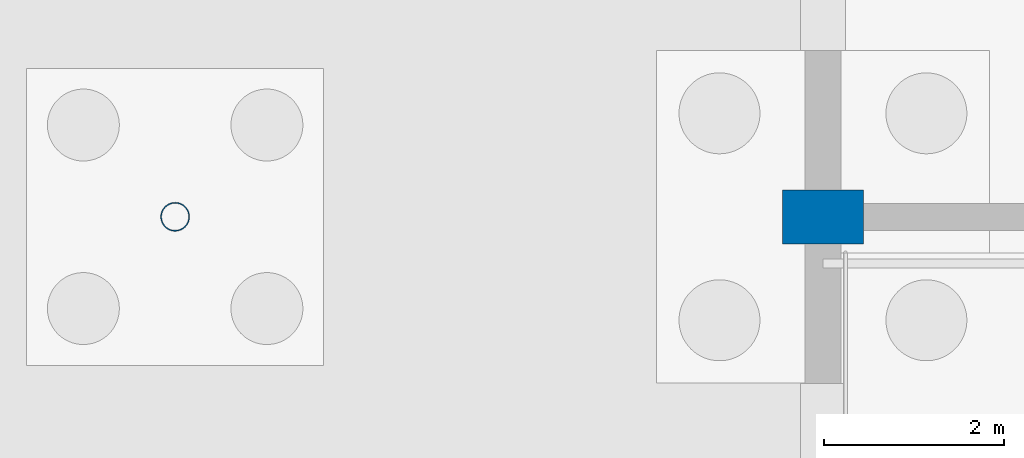
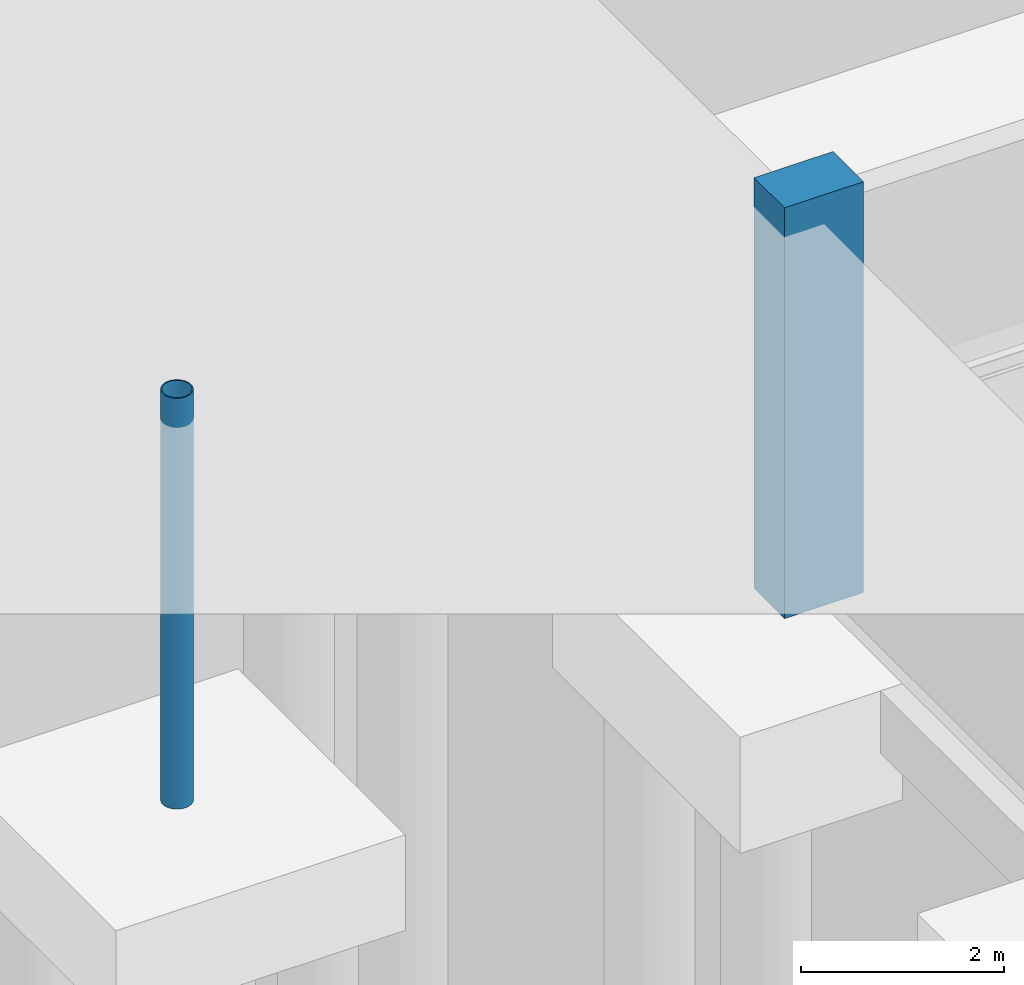
# One storey, part 9 of 51: 2 columns.
"""IFC4 building model written with IfcOpenShell, lengths in metres."""

import ifcopenshell
import ifcopenshell.guid

model = None  # the IFC model being written
_history = None  # IfcOwnerHistory: only IFC2X3 demands one
_inside = {}  # id of a spatial element -> (the spatial element, [elements in it])
_under = {}  # id of a project, library or spatial element -> (it, [spatial elements below it])
_declared = {}  # id of a project -> (the project, [libraries it declares])
_typed = {}  # id of a type object -> (the type object, [elements of that type])
_made_of = {}  # id of a material, layer set ... -> (it, [elements and type objects made of it])


def new_model(schema):
    """Start an empty IFC model of exactly this schema.

    Asked for "IFC4X3", IfcOpenShell would pick the latest addendum, in which some entities
    have other attributes; the version numbers below select the first issue.
    IFC2X3 requires an IfcOwnerHistory on every rooted entity: one is made here for all.
    """
    global model, _history
    if schema == "IFC4X3":
        model = ifcopenshell.file(schema_version=(4, 3, 0, 0))
    else:
        model = ifcopenshell.file(schema=schema)
    _inside.clear()
    _under.clear()
    _declared.clear()
    _typed.clear()
    _made_of.clear()
    _history = None
    if model.schema == "IFC2X3":
        org = make("IfcOrganization", Name="unknown")
        user = make(
            "IfcPersonAndOrganization",
            ThePerson=make("IfcPerson", FamilyName="unknown"),
            TheOrganization=org,
        )
        app = make(
            "IfcApplication",
            ApplicationDeveloper=org,
            Version="unknown",
            ApplicationFullName="unknown",
            ApplicationIdentifier="unknown",
        )
        _history = make(
            "IfcOwnerHistory",
            OwningUser=user,
            OwningApplication=app,
            ChangeAction="ADDED",
            CreationDate=0,
        )
    return model


def make(cls, **values):
    """One entity of the class cls with the attributes given. An attribute that is None is left unset."""
    return model.create_entity(
        cls, **{name: value for name, value in values.items() if value is not None}
    )


def rooted(cls, **values):
    """An entity with a GlobalId (a new one), such as an element, a storey or a relation."""
    return make(cls, GlobalId=ifcopenshell.guid.new(), OwnerHistory=_history, **values)


def si_unit(unit_type, name, prefix=None):
    """IfcSIUnit, for example si_unit("LENGTHUNIT", "METRE", prefix="MILLI")."""
    return make("IfcSIUnit", UnitType=unit_type, Prefix=prefix, Name=name)


def assignment(units):
    """IfcUnitAssignment: the units of a project."""
    return None if units is None else make("IfcUnitAssignment", Units=units)


def point(xyz):
    """IfcCartesianPoint."""
    return None if xyz is None else make("IfcCartesianPoint", Coordinates=xyz)


def direction(xyz):
    """IfcDirection."""
    return None if xyz is None else make("IfcDirection", DirectionRatios=xyz)


def frame(location, z_axis=None, x_axis=None):
    """IfcAxis2Placement3D, a coordinate frame: its origin and axes. An axis left out is left unset."""
    return make(
        "IfcAxis2Placement3D",
        Location=point(location),
        Axis=direction(z_axis),
        RefDirection=direction(x_axis),
    )


def frame_2d(location, x_axis=None):
    """IfcAxis2Placement2D, a coordinate frame in the plane: its origin and x axis."""
    return make(
        "IfcAxis2Placement2D", Location=point(location), RefDirection=direction(x_axis)
    )


def origin():
    """The frame at (0, 0, 0) with its axes left unset."""
    return frame((0.0, 0.0, 0.0))


def origin_2d():
    """The frame at (0, 0) in the plane with its x axis left unset."""
    return frame_2d((0.0, 0.0))


def place(relative_to, where):
    """IfcLocalPlacement: puts the frame where relative to a parent placement (None: the world)."""
    return make(
        "IfcLocalPlacement", PlacementRelTo=relative_to, RelativePlacement=where
    )


def context(
    kind, dimensions, precision=None, world=None, true_north=None, identifier=None
):
    """IfcGeometricRepresentationContext, for example the 3D "Model" context."""
    return make(
        "IfcGeometricRepresentationContext",
        ContextIdentifier=identifier,
        ContextType=kind,
        CoordinateSpaceDimension=dimensions,
        Precision=precision,
        WorldCoordinateSystem=world,
        TrueNorth=true_north,
    )


def subcontext(parent, identifier, kind, view, scale=None):
    """IfcGeometricRepresentationSubContext, for example "Body" below "Model"."""
    return make(
        "IfcGeometricRepresentationSubContext",
        ContextIdentifier=identifier,
        ContextType=kind,
        ParentContext=parent,
        TargetScale=scale,
        TargetView=view,
    )


def project(units=None, contexts=None):
    """IfcProject with its units and contexts."""
    return rooted(
        "IfcProject",
        Name="project",
        RepresentationContexts=contexts,
        UnitsInContext=assignment(units),
    )


def spatial(cls, under=None, at=None, **own):
    """A site, building, storey or space (cls), placed at a placement, below another one or the project."""
    s = rooted(cls, ObjectPlacement=at, **own)
    if under is not None:
        _under.setdefault(under.id(), (under, []))[1].append(s)
    return s


def profile(cls, at=None, kind="AREA", **sizes):
    """A parametric profile (cls). Its sizes go by their IFC names, for example OverallWidth=200.0."""
    return make(cls, ProfileType=kind, Position=at, **sizes)


def rectangle(**sizes):
    """IfcRectangleProfileDef."""
    return profile("IfcRectangleProfileDef", **sizes)


def hollow_circle(**sizes):
    """IfcCircleHollowProfileDef."""
    return profile("IfcCircleHollowProfileDef", **sizes)


def extrude(swept, where, along, depth):
    """IfcExtrudedAreaSolid: the profile swept, set in the frame where, extruded along a direction by depth."""
    return make(
        "IfcExtrudedAreaSolid",
        SweptArea=swept,
        Position=where,
        ExtrudedDirection=direction(along),
        Depth=depth,
    )


def shape(context_of_items, identifier, shape_type, items):
    """IfcShapeRepresentation: the items that make up one representation, for example the "Body"."""
    return make(
        "IfcShapeRepresentation",
        ContextOfItems=context_of_items,
        RepresentationIdentifier=identifier,
        RepresentationType=shape_type,
        Items=items,
    )


def material(Name=None, Category=None):
    """IfcMaterial."""
    return make("IfcMaterial", Name=Name, Category=Category)


def material_profile(
    of_material, cross_section, Name=None, Category=None, Priority=None
):
    """IfcMaterialProfile: a cross section and its material."""
    return make(
        "IfcMaterialProfile",
        Name=Name,
        Material=of_material,
        Profile=cross_section,
        Priority=Priority,
        Category=Category,
    )


def profile_set(profiles, Name=None, composite=None):
    """IfcMaterialProfileSet."""
    return make(
        "IfcMaterialProfileSet",
        Name=Name,
        MaterialProfiles=profiles,
        CompositeProfile=composite,
    )


def made_of(thing, what):
    """Note that an element or type object is made of a material, layer set ...; save() writes the relation."""
    if what is not None:
        _made_of.setdefault(what.id(), (what, []))[1].append(thing)
    return thing


def type_object(cls, material=None, **own):
    """A type object (cls), such as IfcWallType, which elements share."""
    return made_of(rooted(cls, **own), material)


def element(
    cls,
    number,
    at=None,
    inside=None,
    cuts=None,
    type_object=None,
    material=None,
    context=None,
    identifier="Body",
    shape_type=None,
    held_by="IfcProductDefinitionShape",
    body=None,
    shapes=None,
    **own,
):
    """One element of the class cls, such as IfcWall. Its Tag is "e" and its number.

    at: its placement. inside: the storey or other place that contains it. cuts: it is an
    opening in that element (IfcRelVoidsElement). A single representation is given by context,
    identifier, shape_type and body (its items); several are given by shapes. held_by: the class
    of the entity that holds the representations. save() writes the other relations.
    """
    e = rooted(cls, Tag="e%d" % number, ObjectPlacement=at, **own)
    if body is not None:
        shapes = [shape(context, identifier, shape_type, body)]
    if shapes is not None:
        e.Representation = make(held_by, Representations=shapes)
    if inside is not None:
        _inside.setdefault(inside.id(), (inside, []))[1].append(e)
    if cuts is not None:
        rooted(
            "IfcRelVoidsElement", RelatingBuildingElement=cuts, RelatedOpeningElement=e
        )
    if type_object is not None:
        _typed.setdefault(type_object.id(), (type_object, []))[1].append(e)
    return made_of(e, material)


def aggregate(whole, parts):
    """IfcRelAggregates: a whole, such as a stair, and the parts it consists of."""
    return rooted("IfcRelAggregates", RelatingObject=whole, RelatedObjects=parts)


def save(model, path):
    """Write the relations noted so far, then the file.

    IfcRelAggregates (storeys below a building ...), IfcRelContainedInSpatialStructure (elements
    in a storey), IfcRelDefinesByType, IfcRelAssociatesMaterial and IfcRelDeclares: one each for
    every whole, place, type object, material and project.
    """
    for whole, parts in _under.values():
        aggregate(whole, parts)
    for where, things in _inside.values():
        rooted(
            "IfcRelContainedInSpatialStructure",
            RelatedElements=things,
            RelatingStructure=where,
        )
    for kind, things in _typed.values():
        rooted("IfcRelDefinesByType", RelatedObjects=things, RelatingType=kind)
    for what, things in _made_of.values():
        rooted("IfcRelAssociatesMaterial", RelatedObjects=things, RelatingMaterial=what)
    for by, libraries in _declared.values():
        rooted("IfcRelDeclares", RelatingContext=by, RelatedDefinitions=libraries)
    model.write(path)


model = new_model("IFC4")

# Units and contexts
model_context = context("Model", 3, precision=1e-05, world=origin(), true_north=direction((0.0, 1.0)))
body_context = subcontext(model_context, "Body", "Model", "MODEL_VIEW")
ifc_project = project(units=[si_unit("LENGTHUNIT", "METRE"), si_unit("AREAUNIT", "SQUARE_METRE"), si_unit("VOLUMEUNIT", "CUBIC_METRE"), si_unit("PLANEANGLEUNIT", "RADIAN"), si_unit("MASSUNIT", "GRAM", prefix="KILO")], contexts=[model_context])

# Site, building, storey
site_placement = place(None, origin())
site = spatial("IfcSite", under=ifc_project, at=site_placement, CompositionType="ELEMENT")
building_placement = place(site_placement, origin())
building = spatial("IfcBuilding", under=site, at=building_placement, Name="Zlatovets Crest Museum", CompositionType="ELEMENT")
storey_placement = place(building_placement, frame((0.0, 0.0, -4.5)))
storey = spatial("IfcBuildingStorey", under=building, at=storey_placement, Name="B1", CompositionType="ELEMENT", Elevation=-4.5)

# Columns
ifc_material_1 = material(Name="Concrete C35/45", Category="concrete")
ifc_material_profile_1 = material_profile(ifc_material_1, rectangle(XDim=0.60009765625, YDim=0.89990234375, at=origin_2d()), Name="RC 600x900")
ifc_profile_set_1 = profile_set([ifc_material_profile_1], Name="Concrete C35/45")
column_type_1 = type_object("IfcColumnType", Name="Col_C-03", PredefinedType="PILASTER", material=ifc_profile_set_1)
column_1_placement = place(storey_placement, frame((57.60009765625, 21.60009765625, -0.449951171875), z_axis=(0.0, 0.0, 1.0), x_axis=(0.0, 1.0, 0.0)))
element("IfcColumn", 1, at=column_1_placement, inside=storey, type_object=column_type_1, Name="V2 B1 Column (57.6, 21.6)", PredefinedType="PILASTER", context=body_context, shape_type="SweptSolid", body=[
    extrude(rectangle(XDim=0.60009765625, YDim=0.89990234375, at=origin_2d()), origin(), (0.0, 0.0, 1.0), 4.949951171875),
])
ifc_material_2 = material(Name="Structural steel S355J2", Category="steel")
ifc_material_profile_2 = material_profile(ifc_material_2, hollow_circle(Radius=0.161865234375, WallThickness=0.012451171875, at=origin_2d()), Name="CHS 323.9x12.5")
ifc_profile_set_2 = profile_set([ifc_material_profile_2], Name="Structural steel S355J2")
column_type_2 = type_object("IfcColumnType", Name="Col_C-13", PredefinedType="COLUMN", material=ifc_profile_set_2)
column_2_placement = place(storey_placement, frame((50.39990234375, 21.60009765625, -0.449951171875), z_axis=(0.0, 0.0, 1.0), x_axis=(1.0, 0.0, 0.0)))
element("IfcColumn", 2, at=column_2_placement, inside=storey, type_object=column_type_2, Name="South Forecourt Glazed Link Bridge Portal Column", PredefinedType="COLUMN", context=body_context, shape_type="SweptSolid", body=[
    extrude(hollow_circle(Radius=0.161865234375, WallThickness=0.012451171875, at=origin_2d()), origin(), (0.0, 0.0, 1.0), 4.949951171875),
])

save(model, "model.ifc")
